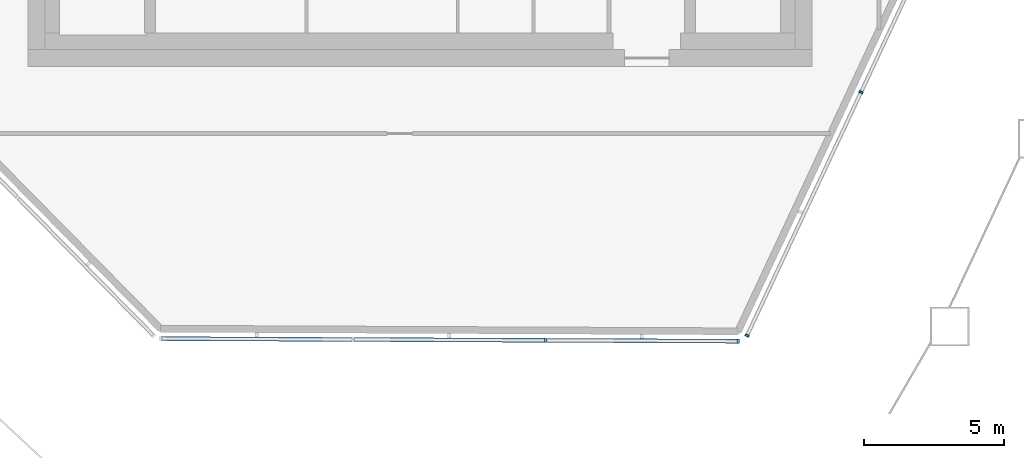
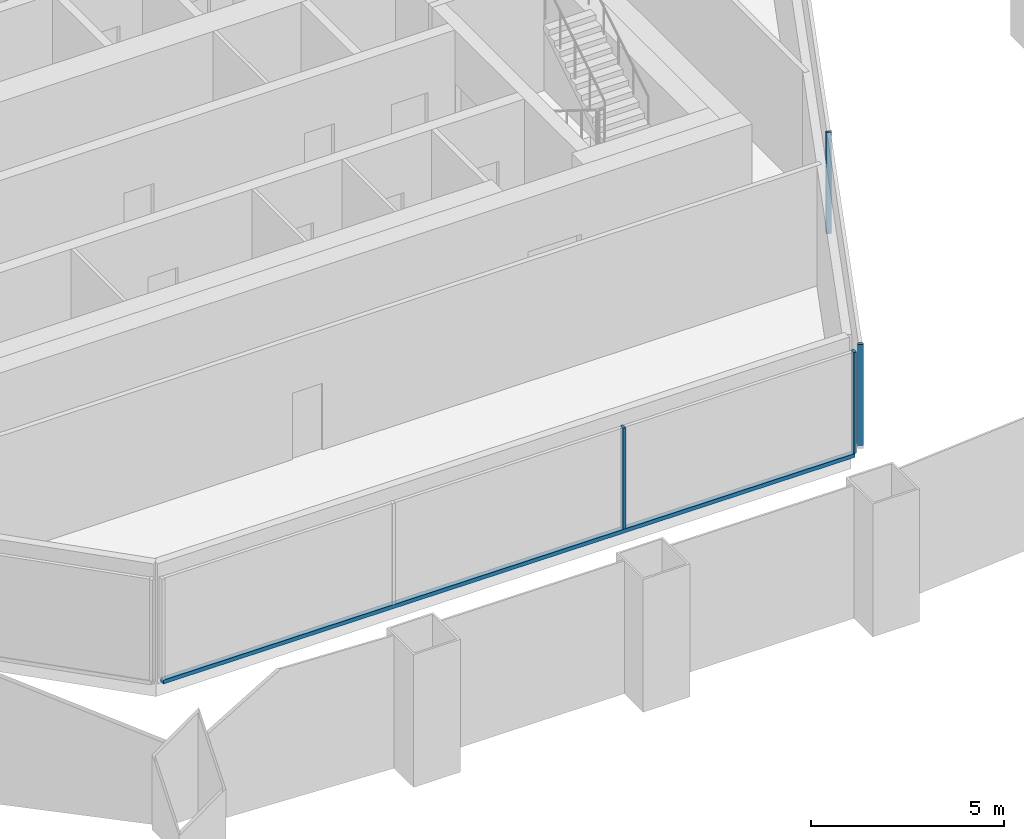
# One storey, part 3 of 18: 5 members, 2 elements without a shape of their own.
"""IFC4 building model written with IfcOpenShell, lengths in metres."""

from ifc_helpers import new_model, si_unit, direction, frame, origin, origin_2d, place, context, subcontext, project, spatial, rectangle, extrude, material, layer, layer_set, material_profile, profile_set, type_object, element, aggregate, save


model = new_model("IFC4")

# Units and contexts
model_context = context("Model", 3, precision=1e-05, world=origin(), true_north=direction((0.0, 1.0)))
body_context = subcontext(model_context, "Body", "Model", "MODEL_VIEW")
ifc_project = project(units=[si_unit("LENGTHUNIT", "METRE"), si_unit("AREAUNIT", "SQUARE_METRE"), si_unit("VOLUMEUNIT", "CUBIC_METRE"), si_unit("PLANEANGLEUNIT", "RADIAN"), si_unit("MASSUNIT", "GRAM", prefix="KILO")], contexts=[model_context])

# Site, building, storey
site_placement = place(None, origin())
site = spatial("IfcSite", under=ifc_project, at=site_placement, CompositionType="ELEMENT")
building_placement = place(site_placement, origin())
building = spatial("IfcBuilding", under=site, at=building_placement, Name="Dongbaek Canopy Tower", CompositionType="ELEMENT")
storey_placement = place(building_placement, frame((0.0, 0.0, 363.199951171875)))
storey = spatial("IfcBuildingStorey", under=building, at=storey_placement, Name="L78", CompositionType="ELEMENT", Elevation=363.199951171875)

# Curtain wall, members
ifc_material_1 = material(Name="Aluminium 6063-T6 pale anodised", Category="aluminium")
ifc_layer = layer(ifc_material_1, 0.14990234375)
ifc_layer_set = layer_set([ifc_layer], Name="CW-7 louvre curtain wall")
curtain_wall_type = type_object("IfcCurtainWallType", Name="CW-7 louvre curtain wall", PredefinedType="NOTDEFINED", material=ifc_layer_set)
curtain_wall_1_placement = place(storey_placement, origin())
curtain_wall_1 = element("IfcCurtainWall", 1, at=curtain_wall_1_placement, inside=storey, type_object=curtain_wall_type, Name="CW-7 louvre wall L78 F0", PredefinedType="NOTDEFINED")
ifc_material_2 = material(Name="Aluminium 6063-T6 pale anodised", Category="aluminium")
ifc_material_profile_1 = material_profile(ifc_material_2, rectangle(XDim=0.14990234375, YDim=0.080078125, at=origin_2d()), Name="CW-7 mullion 80 x 150")
ifc_profile_set_1 = profile_set([ifc_material_profile_1], Name="Aluminium 6063-T6 pale anodised")
member_type_1 = type_object("IfcMemberType", Name="CW-7 mullion 80 x 150", PredefinedType="MULLION", material=ifc_profile_set_1)
member_1_placement = place(storey_placement, frame((4.48828125, -20.7880859375, 0.300048828125), z_axis=(0.0, 0.0, 1.0), x_axis=(-0.004466136555, -0.999990026762, 0.0)))
member_1 = element("IfcMember", 2, at=member_1_placement, type_object=member_type_1, Name="CW-7 mullion L78 F0.1.3", PredefinedType="MULLION", context=body_context, shape_type="SweptSolid", body=[
    extrude(rectangle(XDim=0.14990234375, YDim=0.080078125, at=origin_2d()), origin(), (0.0, 0.0, 1.0), 3.199951171875),
])
member_2_placement = place(storey_placement, frame((11.365966796875, -20.81884765625, 0.300048828125), z_axis=(0.0, 0.0, 1.0), x_axis=(-0.004466136555, -0.999990026762, 0.0)))
member_2 = element("IfcMember", 3, at=member_2_placement, type_object=member_type_1, Name="CW-7 mullion L78 F0.1.4", PredefinedType="MULLION", context=body_context, shape_type="SweptSolid", body=[
    extrude(rectangle(XDim=0.14990234375, YDim=0.080078125, at=origin_2d()), origin(), (0.0, 0.0, 1.0), 3.199951171875),
])

curtain_wall_2_placement = place(storey_placement, origin())
curtain_wall_2 = element("IfcCurtainWall", 4, at=curtain_wall_2_placement, inside=storey, type_object=curtain_wall_type, Name="CW-7 louvre wall L78 F1", PredefinedType="NOTDEFINED")
member_3_placement = place(storey_placement, frame((11.684326171875, -20.6171875, 0.300048828125), z_axis=(0.0, 0.0, 1.0), x_axis=(0.905604659029, -0.42412286138, 0.0)))
member_3 = element("IfcMember", 5, at=member_3_placement, type_object=member_type_1, Name="CW-7 mullion L78 F1.1.1", PredefinedType="MULLION", context=body_context, shape_type="SweptSolid", body=[
    extrude(rectangle(XDim=0.14990234375, YDim=0.080078125, at=origin_2d()), origin(), (0.0, 0.0, 1.0), 3.199951171875),
])
member_4_placement = place(storey_placement, frame((15.756103515625, -11.923095703125, 0.300048828125), z_axis=(0.0, 0.0, 1.0), x_axis=(0.905604659029, -0.42412286138, 0.0)))
member_4 = element("IfcMember", 6, at=member_4_placement, type_object=member_type_1, Name="CW-7 mullion L78 F1.1.2", PredefinedType="MULLION", context=body_context, shape_type="SweptSolid", body=[
    extrude(rectangle(XDim=0.14990234375, YDim=0.080078125, at=origin_2d()), origin(), (0.0, 0.0, 1.0), 3.199951171875),
])
aggregate(curtain_wall_2, [member_3, member_4])

# Member
ifc_material_3 = material(Name="Aluminium 6063-T6 pale anodised", Category="aluminium")
ifc_material_profile_2 = material_profile(ifc_material_3, rectangle(XDim=0.14990234375, YDim=0.1201171875, at=origin_2d()), Name="CW-7 transom 120 x 150")
ifc_profile_set_2 = profile_set([ifc_material_profile_2], Name="Aluminium 6063-T6 pale anodised")
member_type_2 = type_object("IfcMemberType", Name="CW-7 transom 120 x 150", PredefinedType="USERDEFINED", material=ifc_profile_set_2)
member_5_placement = place(storey_placement, frame((-9.267333984375, -20.7265625, 0.239990234375), z_axis=(0.999989997933, -0.004472587018, 0.0), x_axis=(0.004472587018, 0.999989997933, 0.0)))
member_5 = element("IfcMember", 7, at=member_5_placement, type_object=member_type_2, Name="CW-7 transom L78 F0.1", ObjectType="TRANSOM", PredefinedType="USERDEFINED", context=body_context, shape_type="SweptSolid", body=[
    extrude(rectangle(XDim=0.14990234375, YDim=0.1201171875, at=origin_2d()), origin(), (0.0, 0.0, 1.0), 20.633544921875),
])

aggregate(curtain_wall_1, [member_5, member_1, member_2])

save(model, "model.ifc")
